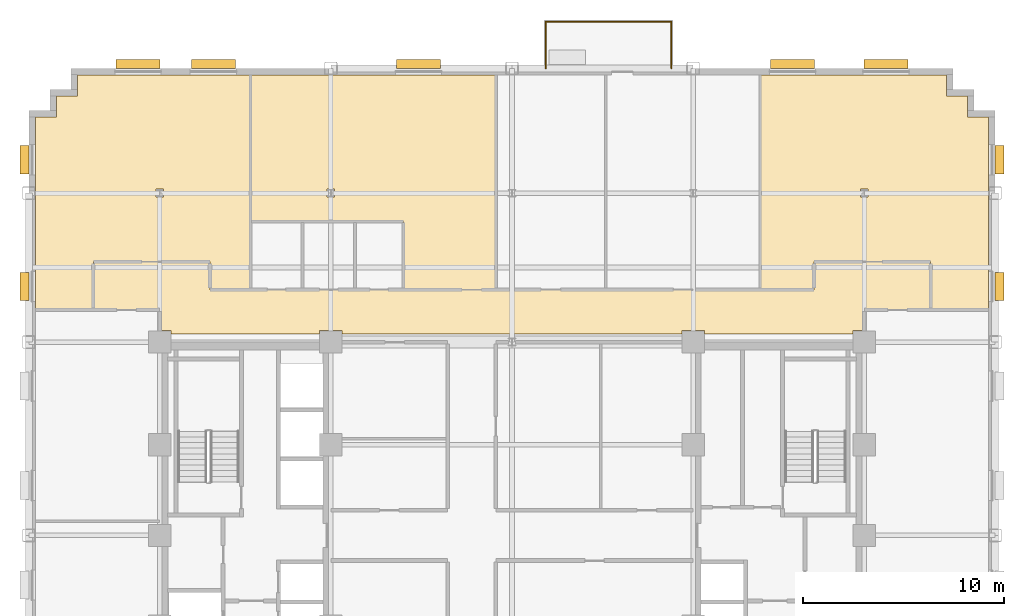
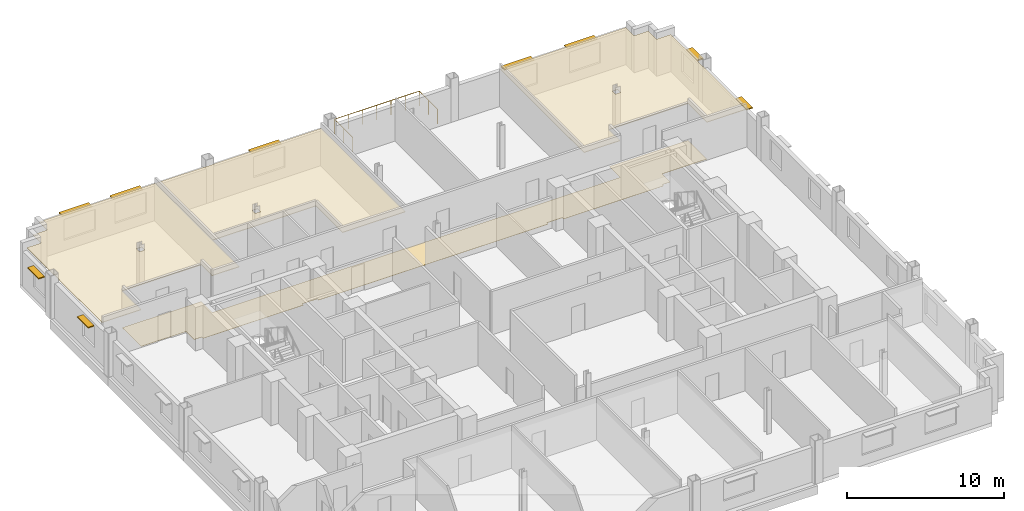
# One storey, part 14 of 14: 9 shading devices, 4 coverings, 1 railing.
"""IFC4 building model written with IfcOpenShell, lengths in metres."""

from ifc_helpers import new_model, si_unit, direction, frame, origin, origin_2d, place, context, subcontext, project, spatial, polyline, rectangle, circle, outline, extrude, source, transform, mapped, material, layer, layer_set, type_object, type_shapes, element, save


model = new_model("IFC4")

# Units and contexts
model_context = context("Model", 3, precision=1e-05, world=origin(), true_north=direction((0.0, 1.0)))
body_context = subcontext(model_context, "Body", "Model", "MODEL_VIEW")
ifc_project = project(units=[si_unit("LENGTHUNIT", "METRE"), si_unit("AREAUNIT", "SQUARE_METRE"), si_unit("VOLUMEUNIT", "CUBIC_METRE"), si_unit("PLANEANGLEUNIT", "RADIAN"), si_unit("MASSUNIT", "GRAM", prefix="KILO")], contexts=[model_context])

# Site, building, storey
site_placement = place(None, origin())
site = spatial("IfcSite", under=ifc_project, at=site_placement, CompositionType="ELEMENT")
building_placement = place(site_placement, origin())
building = spatial("IfcBuilding", under=site, at=building_placement, Name="Nuvemarco Arch Tower", CompositionType="ELEMENT")
storey_placement = place(building_placement, frame((0.0, 0.0, 105.60009765625)))
storey = spatial("IfcBuildingStorey", under=building, at=storey_placement, Name="L27", CompositionType="ELEMENT", Elevation=105.60009765625)

# Coverings
ifc_material_1 = material(Name="Mineral acoustic ceiling tile")
ifc_layer_1 = layer(ifc_material_1, 0.0400390625, Name="COV-ACOUSTIC-CLG")
ifc_layer_set_1 = layer_set([ifc_layer_1], Name="Mineral acoustic ceiling tile")
covering_type_1 = type_object("IfcCoveringType", Name="COV-ACOUSTIC-CLG", PredefinedType="CEILING", material=ifc_layer_set_1)
covering_1_placement = place(storey_placement, frame((0.0, 0.0, 2.849853515625)))
element("IfcCovering", 1, at=covering_1_placement, inside=storey, type_object=covering_type_1, Name="L27 suspended acoustic ceiling 1", PredefinedType="CEILING", context=body_context, shape_type="SweptSolid", body=[
    extrude(outline(polyline([(23.679931640625, 20.780029296875), (23.679931640625, 17.340087890625), (23.659912109375, 17.340087890625), (23.659912109375, 16.659912109375), (23.679931640625, 16.659912109375), (23.679931640625, 11.199951171875), (20.800048828125, 11.199951171875), (20.800048828125, 13.60009765625), (15.0, 13.60009765625), (15.0, 12.199951171875), (12.340087890625, 12.199951171875), (12.340087890625, 22.8798828125), (21.580078125, 22.8798828125), (21.580078125, 21.830078125), (22.6298828125, 21.830078125), (22.6298828125, 20.780029296875), (23.679931640625, 20.780029296875)]), holes=[polyline([(17.695068359375, 16.804931640625), (17.695068359375, 17.195068359375), (17.304931640625, 17.195068359375), (17.304931640625, 16.804931640625), (17.695068359375, 16.804931640625)])]), origin(), (0.0, 0.0, 1.0), 0.0400390625),
])
covering_2_placement = place(storey_placement, frame((0.0, 0.0, 2.849853515625)))
element("IfcCovering", 2, at=covering_2_placement, inside=storey, type_object=covering_type_1, Name="L27 suspended acoustic ceiling 2", PredefinedType="CEILING", context=body_context, shape_type="SweptSolid", body=[
    extrude(outline(polyline([(-23.679931640625, 11.199951171875), (-23.679931640625, 16.659912109375), (-23.659912109375, 16.659912109375), (-23.659912109375, 17.340087890625), (-23.679931640625, 17.340087890625), (-23.679931640625, 20.780029296875), (-22.6298828125, 20.780029296875), (-22.6298828125, 21.830078125), (-21.580078125, 21.830078125), (-21.580078125, 22.8798828125), (-13.0, 22.8798828125), (-13.0, 15.60009765625), (-13.0, 12.199951171875), (-15.0, 12.199951171875), (-15.0, 13.60009765625), (-20.800048828125, 13.60009765625), (-20.800048828125, 11.199951171875), (-23.679931640625, 11.199951171875)]), holes=[polyline([(-17.304931640625, 16.804931640625), (-17.304931640625, 17.195068359375), (-17.695068359375, 17.195068359375), (-17.695068359375, 16.804931640625), (-17.304931640625, 16.804931640625)])]), origin(), (0.0, 0.0, 1.0), 0.0400390625),
])
covering_3_placement = place(storey_placement, frame((0.0, 0.0, 2.849853515625)))
element("IfcCovering", 3, at=covering_3_placement, inside=storey, type_object=covering_type_1, Name="L27 suspended acoustic ceiling 3", PredefinedType="CEILING", context=body_context, shape_type="SweptSolid", body=[
    extrude(outline(polyline([(-10.39990234375, 15.60009765625), (-13.0, 15.60009765625), (-13.0, 22.8798828125), (-9.340087890625, 22.8798828125), (-9.340087890625, 22.860107421875), (-8.659912109375, 22.860107421875), (-8.659912109375, 22.8798828125), (-0.800048828125, 22.8798828125), (-0.800048828125, 12.199951171875), (-3.199951171875, 12.199951171875), (-5.39990234375, 12.199951171875), (-5.39990234375, 15.60009765625), (-7.800048828125, 15.60009765625), (-10.39990234375, 15.60009765625)]), holes=[polyline([(-8.804931640625, 16.804931640625), (-8.804931640625, 17.195068359375), (-9.195068359375, 17.195068359375), (-9.195068359375, 16.804931640625), (-8.804931640625, 16.804931640625)])]), origin(), (0.0, 0.0, 1.0), 0.0400390625),
])
ifc_material_2 = material(Name="Polished granite terrazzostone flooring", Category="masonry")
ifc_layer_2 = layer(ifc_material_2, 0.02001953125, Name="COV-LOBBY-FLR")
ifc_layer_set_2 = layer_set([ifc_layer_2], Name="Polished granite terrazzostone flooring")
covering_type_2 = type_object("IfcCoveringType", Name="COV-LOBBY-FLR", PredefinedType="FLOORING", material=ifc_layer_set_2)
covering_4_placement = place(storey_placement, origin())
element("IfcCovering", 4, at=covering_4_placement, inside=storey, type_object=covering_type_2, Name="L27 polished terrazzo lobby flooring", PredefinedType="FLOORING", context=body_context, shape_type="SweptSolid", body=[
    extrude(outline(polyline([(-8.43505859375, 10.1650390625), (-9.56494140625, 10.1650390625), (-9.56494140625, 10.0), (-16.93505859375, 10.0), (-16.93505859375, 10.1650390625), (-17.5, 10.1650390625), (-17.5, 11.199951171875), (-20.800048828125, 11.199951171875), (-20.800048828125, 13.60009765625), (-15.0, 13.60009765625), (-15.0, 12.199951171875), (-3.199951171875, 12.199951171875), (-0.800048828125, 12.199951171875), (15.0, 12.199951171875), (15.0, 13.60009765625), (20.800048828125, 13.60009765625), (20.800048828125, 11.199951171875), (17.5, 11.199951171875), (17.5, 10.1650390625), (16.93505859375, 10.1650390625), (16.93505859375, 10.0), (9.56494140625, 10.0), (9.56494140625, 10.1650390625), (8.43505859375, 10.1650390625), (8.43505859375, 10.0), (-8.43505859375, 10.0), (-8.43505859375, 10.1650390625)])), origin(), (0.0, 0.0, 1.0), 0.02001953125),
])

# Railing
ifc_material_3 = material(Name="Dark anodised balustrade steel S355", Category="steel")
railing_type = type_object("IfcRailingType", Name="RL-TERR-GUARD", PredefinedType="BALUSTRADE", material=ifc_material_3)
railing_placement = place(storey_placement, frame((1.679931640625, 23.199951171875, 0.0)))
element("IfcRailing", 5, at=railing_placement, inside=storey, type_object=railing_type, Name="L27 spiral terrace perimeter balustrade guard", PredefinedType="BALUSTRADE", context=body_context, shape_type="SweptSolid", body=[
    extrude(circle(Radius=0.02392578125, at=origin_2d()), frame((0.0, 0.0, 1.1259765625), z_axis=(0.0, 1.0, 0.0), x_axis=(-1.0, 0.0, 0.0)), (0.0, 0.0, 1.0), 2.320068359375),
    extrude(circle(Radius=0.02392578125, at=origin_2d()), frame((0.0, 2.320068359375, 1.1259765625), z_axis=(1.0, 0.0, 0.0), x_axis=(0.0, 1.0, 0.0)), (0.0, 0.0, 1.0), 6.239990234375),
    extrude(circle(Radius=0.02392578125, at=origin_2d()), frame((6.239990234375, 2.320068359375, 1.1259765625), z_axis=(0.0, -1.0, 0.0), x_axis=(1.0, 0.0, 0.0)), (0.0, 0.0, 1.0), 2.320068359375),
    extrude(circle(Radius=0.02099609375, at=origin_2d()), origin(), (0.0, 0.0, 1.0), 1.101806640625),
    extrude(circle(Radius=0.02099609375, at=origin_2d()), frame((0.0, 1.16015625, 0.0)), (0.0, 0.0, 1.0), 1.101806640625),
    extrude(circle(Radius=0.02099609375, at=origin_2d()), frame((0.0, 2.320068359375, 0.0)), (0.0, 0.0, 1.0), 1.101806640625),
    extrude(circle(Radius=0.02099609375, at=origin_2d()), frame((1.0400390625, 2.320068359375, 0.0)), (0.0, 0.0, 1.0), 1.101806640625),
    extrude(circle(Radius=0.02099609375, at=origin_2d()), frame((2.080078125, 2.320068359375, 0.0)), (0.0, 0.0, 1.0), 1.101806640625),
    extrude(circle(Radius=0.02099609375, at=origin_2d()), frame((3.1201171875, 2.320068359375, 0.0)), (0.0, 0.0, 1.0), 1.101806640625),
    extrude(circle(Radius=0.02099609375, at=origin_2d()), frame((4.159912109375, 2.320068359375, 0.0)), (0.0, 0.0, 1.0), 1.101806640625),
    extrude(circle(Radius=0.02099609375, at=origin_2d()), frame((5.199951171875, 2.320068359375, 0.0)), (0.0, 0.0, 1.0), 1.101806640625),
    extrude(circle(Radius=0.02099609375, at=origin_2d()), frame((6.239990234375, 2.320068359375, 0.0)), (0.0, 0.0, 1.0), 1.101806640625),
    extrude(circle(Radius=0.02099609375, at=origin_2d()), frame((6.239990234375, 1.16015625, 0.0)), (0.0, 0.0, 1.0), 1.101806640625),
    extrude(circle(Radius=0.02099609375, at=origin_2d()), frame((6.239990234375, 0.0, 0.0)), (0.0, 0.0, 1.0), 1.101806640625),
])

# Shading devices
ifc_material_4 = material(Name="Anodised aluminium 6063-T6", Category="aluminium")
shading_device_type_1 = type_object("IfcShadingDeviceType", Name="SHD-BRISE-SOLEIL", PredefinedType="USERDEFINED", material=ifc_material_4)
shared_shape_1 = source(origin(), body_context, "Body", "SweptSolid", [
    extrude(rectangle(XDim=2.199951171875, YDim=0.449951171875, at=origin_2d()), origin(), (0.0, 0.0, 1.0), 0.080078125),
])
type_shapes(shading_device_type_1, [shared_shape_1])
for number, where, z_axis, x_axis, name in (
    (6, (-18.577880859375, 23.4150390625, 2.4248046875), (0.0, 0.0, 1.0), (1.0, 0.0, 0.0), "L27 horizontal brise-soleil sunshade"),
    (7, (-14.833251953125, 23.4150390625, 2.4248046875), (0.0, 0.0, 1.0), (1.0, 0.0, 0.0), "L27 horizontal brise-soleil sunshade"),
    (8, (-4.644287109375, 23.4150390625, 2.4248046875), (0.0, 0.0, 1.0), (1.0, 0.0, 0.0), "L27 horizontal brise-soleil sunshade"),
    (9, (13.933349609375, 23.4150390625, 2.4248046875), (0.0, 0.0, 1.0), (1.0, 0.0, 0.0), "L27 horizontal brise-soleil sunshade"),
    (10, (18.577880859375, 23.4150390625, 2.4248046875), (0.0, 0.0, 1.0), (1.0, 0.0, 0.0), "L27 horizontal brise-soleil sunshade"),
):
    element("IfcShadingDevice", number, at=place(storey_placement, frame(where, z_axis=z_axis, x_axis=x_axis)), inside=storey, type_object=shading_device_type_1, Name=name, ObjectType="SUNSHADE", PredefinedType="USERDEFINED", context=body_context, shape_type="MappedRepresentation", body=[
        mapped(shared_shape_1, transform((0.0, 0.0, 0.0), scale=1.0)),
    ])
shading_device_type_2 = type_object("IfcShadingDeviceType", Name="SHD-BRISE-NARROW", PredefinedType="USERDEFINED", material=ifc_material_4)
shared_shape_2 = source(origin(), body_context, "Body", "SweptSolid", [
    extrude(rectangle(XDim=1.39990234375, YDim=0.449951171875, at=origin_2d()), origin(), (0.0, 0.0, 1.0), 0.080078125),
])
type_shapes(shading_device_type_2, [shared_shape_2])
for number, where, z_axis, x_axis, name in (
    (11, (24.215087890625, 12.364990234375, 2.40478515625), (0.0, 0.0, 1.0), (0.0, 1.0, 0.0), "L27 horizontal brise-soleil sunshade"),
    (12, (24.215087890625, 18.660888671875, 2.40478515625), (0.0, 0.0, 1.0), (0.0, 1.0, 0.0), "L27 horizontal brise-soleil sunshade"),
    (13, (-24.215087890625, 12.364990234375, 2.40478515625), (0.0, 0.0, 1.0), (0.0, 1.0, 0.0), "L27 horizontal brise-soleil sunshade"),
    (14, (-24.215087890625, 18.660888671875, 2.40478515625), (0.0, 0.0, 1.0), (0.0, 1.0, 0.0), "L27 horizontal brise-soleil sunshade"),
):
    element("IfcShadingDevice", number, at=place(storey_placement, frame(where, z_axis=z_axis, x_axis=x_axis)), inside=storey, type_object=shading_device_type_2, Name=name, ObjectType="SUNSHADE", PredefinedType="USERDEFINED", context=body_context, shape_type="MappedRepresentation", body=[
        mapped(shared_shape_2, transform((0.0, 0.0, 0.0), scale=1.0)),
    ])

save(model, "model.ifc")
